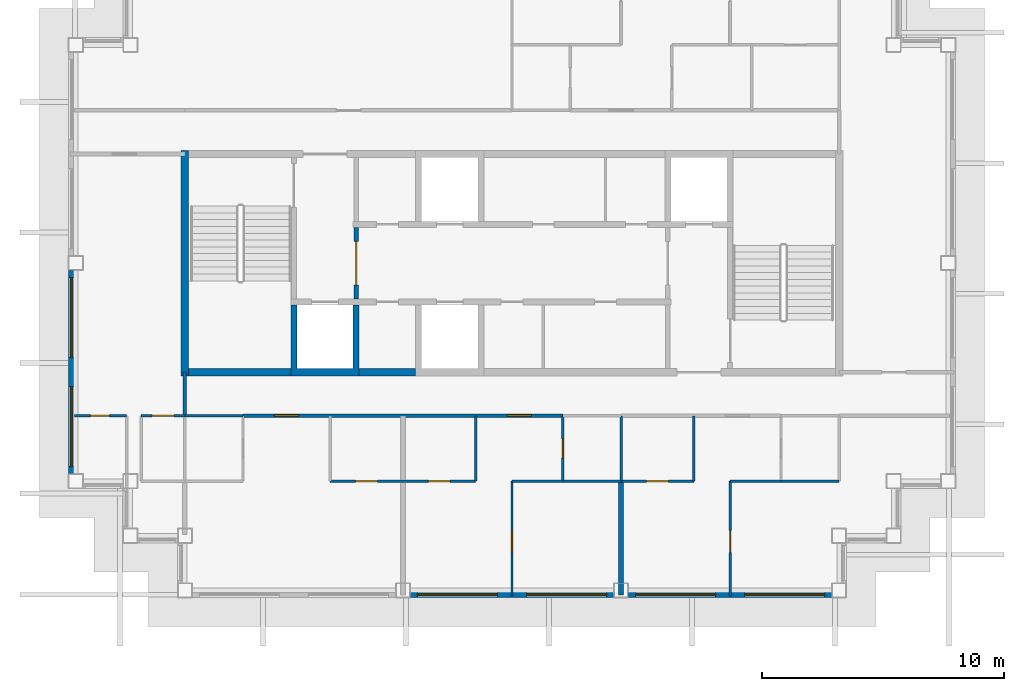
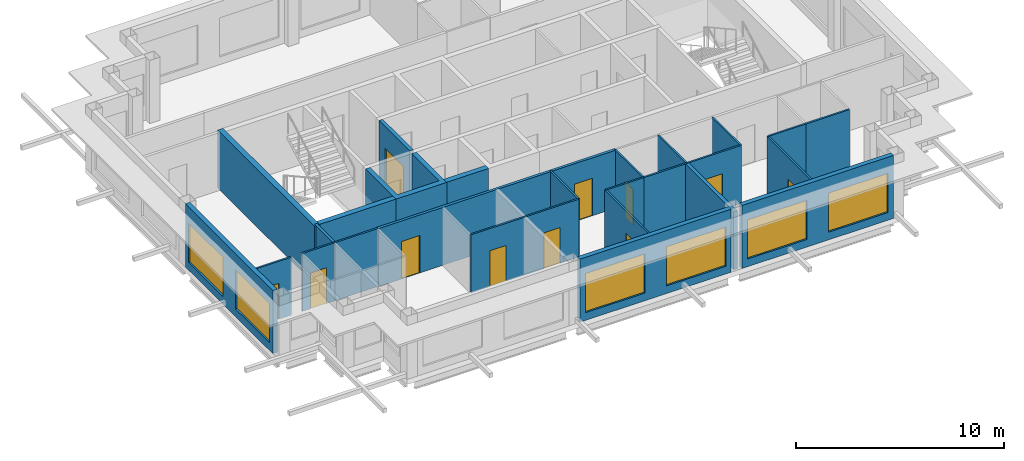
# One storey, part 2 of 10: 26 walls, 11 doors, 6 windows, 17 openings.
"""IFC4 building model written with IfcOpenShell, lengths in metres."""

import ifcopenshell
import ifcopenshell.guid

model = None  # the IFC model being written
_history = None  # IfcOwnerHistory: only IFC2X3 demands one
_inside = {}  # id of a spatial element -> (the spatial element, [elements in it])
_under = {}  # id of a project, library or spatial element -> (it, [spatial elements below it])
_declared = {}  # id of a project -> (the project, [libraries it declares])
_typed = {}  # id of a type object -> (the type object, [elements of that type])
_made_of = {}  # id of a material, layer set ... -> (it, [elements and type objects made of it])


def new_model(schema):
    """Start an empty IFC model of exactly this schema.

    Asked for "IFC4X3", IfcOpenShell would pick the latest addendum, in which some entities
    have other attributes; the version numbers below select the first issue.
    IFC2X3 requires an IfcOwnerHistory on every rooted entity: one is made here for all.
    """
    global model, _history
    if schema == "IFC4X3":
        model = ifcopenshell.file(schema_version=(4, 3, 0, 0))
    else:
        model = ifcopenshell.file(schema=schema)
    _inside.clear()
    _under.clear()
    _declared.clear()
    _typed.clear()
    _made_of.clear()
    _history = None
    if model.schema == "IFC2X3":
        org = make("IfcOrganization", Name="unknown")
        user = make(
            "IfcPersonAndOrganization",
            ThePerson=make("IfcPerson", FamilyName="unknown"),
            TheOrganization=org,
        )
        app = make(
            "IfcApplication",
            ApplicationDeveloper=org,
            Version="unknown",
            ApplicationFullName="unknown",
            ApplicationIdentifier="unknown",
        )
        _history = make(
            "IfcOwnerHistory",
            OwningUser=user,
            OwningApplication=app,
            ChangeAction="ADDED",
            CreationDate=0,
        )
    return model


def make(cls, **values):
    """One entity of the class cls with the attributes given. An attribute that is None is left unset."""
    return model.create_entity(
        cls, **{name: value for name, value in values.items() if value is not None}
    )


def rooted(cls, **values):
    """An entity with a GlobalId (a new one), such as an element, a storey or a relation."""
    return make(cls, GlobalId=ifcopenshell.guid.new(), OwnerHistory=_history, **values)


def si_unit(unit_type, name, prefix=None):
    """IfcSIUnit, for example si_unit("LENGTHUNIT", "METRE", prefix="MILLI")."""
    return make("IfcSIUnit", UnitType=unit_type, Prefix=prefix, Name=name)


def assignment(units):
    """IfcUnitAssignment: the units of a project."""
    return None if units is None else make("IfcUnitAssignment", Units=units)


def point(xyz):
    """IfcCartesianPoint."""
    return None if xyz is None else make("IfcCartesianPoint", Coordinates=xyz)


def direction(xyz):
    """IfcDirection."""
    return None if xyz is None else make("IfcDirection", DirectionRatios=xyz)


def frame(location, z_axis=None, x_axis=None):
    """IfcAxis2Placement3D, a coordinate frame: its origin and axes. An axis left out is left unset."""
    return make(
        "IfcAxis2Placement3D",
        Location=point(location),
        Axis=direction(z_axis),
        RefDirection=direction(x_axis),
    )


def frame_2d(location, x_axis=None):
    """IfcAxis2Placement2D, a coordinate frame in the plane: its origin and x axis."""
    return make(
        "IfcAxis2Placement2D", Location=point(location), RefDirection=direction(x_axis)
    )


def origin():
    """The frame at (0, 0, 0) with its axes left unset."""
    return frame((0.0, 0.0, 0.0))


def place(relative_to, where):
    """IfcLocalPlacement: puts the frame where relative to a parent placement (None: the world)."""
    return make(
        "IfcLocalPlacement", PlacementRelTo=relative_to, RelativePlacement=where
    )


def context(
    kind, dimensions, precision=None, world=None, true_north=None, identifier=None
):
    """IfcGeometricRepresentationContext, for example the 3D "Model" context."""
    return make(
        "IfcGeometricRepresentationContext",
        ContextIdentifier=identifier,
        ContextType=kind,
        CoordinateSpaceDimension=dimensions,
        Precision=precision,
        WorldCoordinateSystem=world,
        TrueNorth=true_north,
    )


def subcontext(parent, identifier, kind, view, scale=None):
    """IfcGeometricRepresentationSubContext, for example "Body" below "Model"."""
    return make(
        "IfcGeometricRepresentationSubContext",
        ContextIdentifier=identifier,
        ContextType=kind,
        ParentContext=parent,
        TargetScale=scale,
        TargetView=view,
    )


def project(units=None, contexts=None):
    """IfcProject with its units and contexts."""
    return rooted(
        "IfcProject",
        Name="project",
        RepresentationContexts=contexts,
        UnitsInContext=assignment(units),
    )


def spatial(cls, under=None, at=None, **own):
    """A site, building, storey or space (cls), placed at a placement, below another one or the project."""
    s = rooted(cls, ObjectPlacement=at, **own)
    if under is not None:
        _under.setdefault(under.id(), (under, []))[1].append(s)
    return s


def polyline(points):
    """IfcPolyline through the points."""
    return make("IfcPolyline", Points=[point(p) for p in points])


def profile(cls, at=None, kind="AREA", **sizes):
    """A parametric profile (cls). Its sizes go by their IFC names, for example OverallWidth=200.0."""
    return make(cls, ProfileType=kind, Position=at, **sizes)


def rectangle(**sizes):
    """IfcRectangleProfileDef."""
    return profile("IfcRectangleProfileDef", **sizes)


def outline(outer, holes=None, kind="AREA"):
    """IfcArbitraryClosedProfileDef: a profile drawn as a closed curve; with holes, ...WithVoids."""
    if holes is None:
        return make("IfcArbitraryClosedProfileDef", ProfileType=kind, OuterCurve=outer)
    return make(
        "IfcArbitraryProfileDefWithVoids",
        ProfileType=kind,
        OuterCurve=outer,
        InnerCurves=holes,
    )


def extrude(swept, where, along, depth):
    """IfcExtrudedAreaSolid: the profile swept, set in the frame where, extruded along a direction by depth."""
    return make(
        "IfcExtrudedAreaSolid",
        SweptArea=swept,
        Position=where,
        ExtrudedDirection=direction(along),
        Depth=depth,
    )


def shape(context_of_items, identifier, shape_type, items):
    """IfcShapeRepresentation: the items that make up one representation, for example the "Body"."""
    return make(
        "IfcShapeRepresentation",
        ContextOfItems=context_of_items,
        RepresentationIdentifier=identifier,
        RepresentationType=shape_type,
        Items=items,
    )


def material(Name=None, Category=None):
    """IfcMaterial."""
    return make("IfcMaterial", Name=Name, Category=Category)


def layer(
    of_material, thickness, ventilated=None, Name=None, Category=None, Priority=None
):
    """IfcMaterialLayer: one layer of a wall or slab, of a material (None: an air gap)."""
    return make(
        "IfcMaterialLayer",
        Material=of_material,
        LayerThickness=thickness,
        IsVentilated=ventilated,
        Name=Name,
        Category=Category,
        Priority=Priority,
    )


def layer_set(layers, Name=None):
    """IfcMaterialLayerSet."""
    return make("IfcMaterialLayerSet", MaterialLayers=layers, LayerSetName=Name)


def made_of(thing, what):
    """Note that an element or type object is made of a material, layer set ...; save() writes the relation."""
    if what is not None:
        _made_of.setdefault(what.id(), (what, []))[1].append(thing)
    return thing


def type_object(cls, material=None, **own):
    """A type object (cls), such as IfcWallType, which elements share."""
    return made_of(rooted(cls, **own), material)


def element(
    cls,
    number,
    at=None,
    inside=None,
    cuts=None,
    type_object=None,
    material=None,
    context=None,
    identifier="Body",
    shape_type=None,
    held_by="IfcProductDefinitionShape",
    body=None,
    shapes=None,
    **own,
):
    """One element of the class cls, such as IfcWall. Its Tag is "e" and its number.

    at: its placement. inside: the storey or other place that contains it. cuts: it is an
    opening in that element (IfcRelVoidsElement). A single representation is given by context,
    identifier, shape_type and body (its items); several are given by shapes. held_by: the class
    of the entity that holds the representations. save() writes the other relations.
    """
    e = rooted(cls, Tag="e%d" % number, ObjectPlacement=at, **own)
    if body is not None:
        shapes = [shape(context, identifier, shape_type, body)]
    if shapes is not None:
        e.Representation = make(held_by, Representations=shapes)
    if inside is not None:
        _inside.setdefault(inside.id(), (inside, []))[1].append(e)
    if cuts is not None:
        rooted(
            "IfcRelVoidsElement", RelatingBuildingElement=cuts, RelatedOpeningElement=e
        )
    if type_object is not None:
        _typed.setdefault(type_object.id(), (type_object, []))[1].append(e)
    return made_of(e, material)


def fill(opening, filler):
    """IfcRelFillsElement: the door or window that sits in an opening."""
    return rooted(
        "IfcRelFillsElement",
        RelatingOpeningElement=opening,
        RelatedBuildingElement=filler,
    )


def aggregate(whole, parts):
    """IfcRelAggregates: a whole, such as a stair, and the parts it consists of."""
    return rooted("IfcRelAggregates", RelatingObject=whole, RelatedObjects=parts)


def save(model, path):
    """Write the relations noted so far, then the file.

    IfcRelAggregates (storeys below a building ...), IfcRelContainedInSpatialStructure (elements
    in a storey), IfcRelDefinesByType, IfcRelAssociatesMaterial and IfcRelDeclares: one each for
    every whole, place, type object, material and project.
    """
    for whole, parts in _under.values():
        aggregate(whole, parts)
    for where, things in _inside.values():
        rooted(
            "IfcRelContainedInSpatialStructure",
            RelatedElements=things,
            RelatingStructure=where,
        )
    for kind, things in _typed.values():
        rooted("IfcRelDefinesByType", RelatedObjects=things, RelatingType=kind)
    for what, things in _made_of.values():
        rooted("IfcRelAssociatesMaterial", RelatedObjects=things, RelatingMaterial=what)
    for by, libraries in _declared.values():
        rooted("IfcRelDeclares", RelatingContext=by, RelatedDefinitions=libraries)
    model.write(path)


model = new_model("IFC4")

# Units and contexts
model_context = context("Model", 3, precision=1e-05, world=origin(), true_north=direction((0.0, 1.0)))
body_context = subcontext(model_context, "Body", "Model", "MODEL_VIEW")
ifc_project = project(units=[si_unit("LENGTHUNIT", "METRE"), si_unit("AREAUNIT", "SQUARE_METRE"), si_unit("VOLUMEUNIT", "CUBIC_METRE"), si_unit("PLANEANGLEUNIT", "RADIAN"), si_unit("MASSUNIT", "GRAM", prefix="KILO")], contexts=[model_context])

# Site, building, storey
site_placement = place(None, origin())
site = spatial("IfcSite", under=ifc_project, at=site_placement, CompositionType="ELEMENT")
building_placement = place(site_placement, origin())
building = spatial("IfcBuilding", under=site, at=building_placement, Name="Caravel Reach Hotel and Residences", CompositionType="ELEMENT")
storey_placement = place(building_placement, frame((0.0, 0.0, 290.800048828125)))
storey = spatial("IfcBuildingStorey", under=building, at=storey_placement, Name="L74", CompositionType="ELEMENT", Elevation=290.800048828125)

# Walls
ifc_material_1 = material(Name="Gypsum board on steel stud", Category="steel")
ifc_layer_1 = layer(ifc_material_1, 0.10009765625)
ifc_layer_set_1 = layer_set([ifc_layer_1], Name="Bathroom pod wall 100 mm")
wall_type_1 = type_object("IfcWallType", Name="Bathroom pod wall 100 mm", PredefinedType="PARTITIONING", material=ifc_layer_set_1)
for number, where, z_axis, x_axis, name in (
    (1, (33.60009765625, 18.0, 0.0), (0.0, 0.0, 1.0), (1.0, 0.0, 0.0), "L74 wall w046"),
    (2, (42.60009765625, 18.0, 0.0), (0.0, 0.0, 1.0), (1.0, 0.0, 0.0), "L74 wall w047"),
    (3, (18.0, 20.699951171875, 0.0), (0.0, 0.0, 1.0), (1.0, 0.0, 0.0), "L74 wall w048"),
):
    element("IfcWall", number, at=place(storey_placement, frame(where, z_axis=z_axis, x_axis=x_axis)), inside=storey, type_object=wall_type_1, Name=name, PredefinedType="PARTITIONING", context=body_context, shape_type="SweptSolid", body=[
        extrude(rectangle(XDim=2.39990234375, YDim=0.10009765625, at=frame_2d((1.199951171875, 0.0))), origin(), (0.0, 0.0, 1.0), 3.39990234375),
    ])

# Wall, opening, door
wall_1_placement = place(storey_placement, frame((13.449951171875, 20.699951171875, 0.0), z_axis=(0.0, 0.0, 1.0), x_axis=(1.0, 0.0, 0.0)))
wall_1 = element("IfcWall", 4, at=wall_1_placement, inside=storey, type_object=wall_type_1, Name="L74 wall w051", PredefinedType="PARTITIONING", context=body_context, shape_type="SweptSolid", body=[
    extrude(rectangle(XDim=2.150146484375, YDim=0.10009765625, at=frame_2d((1.0751953125, 0.0))), origin(), (0.0, 0.0, 1.0), 3.39990234375),
])
opening_1_placement = place(wall_1_placement, frame((0.64990234375, 0.0, 0.0)))
opening_1 = element("IfcOpeningElement", 5, at=opening_1_placement, cuts=wall_1, Name="Opening D74-036", PredefinedType="OPENING", context=body_context, shape_type="SweptSolid", body=[
    extrude(rectangle(XDim=0.800048828125, YDim=2.10009765625, at=frame_2d((0.39990234375, 1.050048828125))), frame((0.0, 0.06005859375, 0.0), z_axis=(0.0, -1.0, 0.0), x_axis=(1.0, 0.0, 0.0)), (0.0, 0.0, 1.0), 0.1201171875),
])
ifc_material_2 = material(Name="Timber and steel door leaf", Category="steel")
door_type_1 = type_object("IfcDoorType", Name="Bathroom door 800 x 2100", OperationType="SINGLE_SWING_LEFT", PredefinedType="DOOR", material=ifc_material_2)
door_1_placement = place(opening_1_placement, origin())
door_1 = element("IfcDoor", 6, at=door_1_placement, inside=storey, type_object=door_type_1, Name="door D74-036", OperationType="SINGLE_SWING_RIGHT", OverallHeight=2.10009765625, OverallWidth=0.800048828125, PredefinedType="DOOR", context=body_context, shape_type="SweptSolid", body=[
    extrude(rectangle(XDim=0.800048828125, YDim=2.10009765625, at=frame_2d((0.39990234375, 1.050048828125))), frame((0.0, 0.02490234375, 0.0), z_axis=(0.0, -1.0, 0.0), x_axis=(1.0, 0.0, 0.0)), (0.0, 0.0, 1.0), 0.050048828125),
])
fill(opening_1, door_1)

wall_2_placement = place(storey_placement, frame((33.60009765625, 18.0, 0.0), z_axis=(0.0, 0.0, 1.0), x_axis=(0.0, 1.0, 0.0)))
wall_2 = element("IfcWall", 7, at=wall_2_placement, inside=storey, type_object=wall_type_1, Name="L74 wall w058", PredefinedType="PARTITIONING", context=body_context, shape_type="SweptSolid", body=[
    extrude(rectangle(XDim=2.699951171875, YDim=0.10009765625, at=frame_2d((1.35009765625, 0.0))), origin(), (0.0, 0.0, 1.0), 3.39990234375),
])
opening_2_placement = place(wall_2_placement, frame((0.949951171875, 0.0, 0.0)))
opening_2 = element("IfcOpeningElement", 8, at=opening_2_placement, cuts=wall_2, Name="Opening D74-029", PredefinedType="OPENING", context=body_context, shape_type="SweptSolid", body=[
    extrude(rectangle(XDim=0.800048828125, YDim=2.10009765625, at=frame_2d((0.39990234375, 1.050048828125))), frame((0.0, 0.06005859375, 0.0), z_axis=(0.0, -1.0, 0.0), x_axis=(1.0, 0.0, 0.0)), (0.0, 0.0, 1.0), 0.1201171875),
])
door_2_placement = place(opening_2_placement, origin())
door_2 = element("IfcDoor", 9, at=door_2_placement, inside=storey, type_object=door_type_1, Name="door D74-029", OperationType="SINGLE_SWING_LEFT", OverallHeight=2.10009765625, OverallWidth=0.800048828125, PredefinedType="DOOR", context=body_context, shape_type="SweptSolid", body=[
    extrude(rectangle(XDim=0.800048828125, YDim=2.10009765625, at=frame_2d((0.39990234375, 1.050048828125))), frame((0.0, 0.02490234375, 0.0), z_axis=(0.0, -1.0, 0.0), x_axis=(1.0, 0.0, 0.0)), (0.0, 0.0, 1.0), 0.050048828125),
])
fill(opening_2, door_2)

# Walls
wall_3_placement = place(storey_placement, frame((36.0, 18.0, 0.0), z_axis=(0.0, 0.0, 1.0), x_axis=(0.0, 1.0, 0.0)))
element("IfcWall", 10, at=wall_3_placement, inside=storey, type_object=wall_type_1, Name="L74 wall w060", PredefinedType="PARTITIONING", context=body_context, shape_type="SweptSolid", body=[
    extrude(rectangle(XDim=2.699951171875, YDim=0.10009765625, at=frame_2d((1.35009765625, 0.0))), origin(), (0.0, 0.0, 1.0), 3.39990234375),
])
ifc_material_3 = material(Name="Concrete C60", Category="concrete")
ifc_layer_2 = layer(ifc_material_3, 0.300048828125)
ifc_layer_set_2 = layer_set([ifc_layer_2], Name="Core wall 300 mm EI 120")
wall_type_2 = type_object("IfcWallType", Name="Core wall 300 mm EI 120", PredefinedType="SHEAR", material=ifc_layer_set_2)
wall_4_placement = place(storey_placement, frame((18.14990234375, 22.5, 0.0), z_axis=(0.0, 0.0, 1.0), x_axis=(1.0, 0.0, 0.0)))
element("IfcWall", 11, at=wall_4_placement, inside=storey, type_object=wall_type_2, Name="L74 core wall S1", PredefinedType="SHEAR", context=body_context, shape_type="SweptSolid", body=[
    extrude(rectangle(XDim=4.22509765625, YDim=0.300048828125, at=frame_2d((2.112548828125, 0.0))), origin(), (0.0, 0.0, 1.0), 3.39990234375),
])
wall_5_placement = place(storey_placement, frame((25.196533203125, 22.5, 0.0), z_axis=(0.0, 0.0, 1.0), x_axis=(1.0, 0.0, 0.0)))
element("IfcWall", 12, at=wall_5_placement, inside=storey, type_object=wall_type_2, Name="L74 core wall S2", PredefinedType="SHEAR", context=body_context, shape_type="SweptSolid", body=[
    extrude(rectangle(XDim=2.3212890625, YDim=0.300048828125, at=frame_2d((1.16064453125, 0.0))), origin(), (0.0, 0.0, 1.0), 3.39990234375),
])
wall_6_placement = place(storey_placement, frame((18.0, 22.35009765625, 0.0), z_axis=(0.0, 0.0, 1.0), x_axis=(0.0, 1.0, 0.0)))
element("IfcWall", 13, at=wall_6_placement, inside=storey, type_object=wall_type_2, Name="L74 core wall W", PredefinedType="SHEAR", context=body_context, shape_type="SweptSolid", body=[
    extrude(rectangle(XDim=9.2998046875, YDim=0.300048828125, at=frame_2d((4.64990234375, 0.0))), origin(), (0.0, 0.0, 1.0), 3.39990234375),
])

# Wall, openings, doors
ifc_material_4 = material(Name="Gypsum board on steel stud, fire-rated", Category="steel")
ifc_layer_3 = layer(ifc_material_4, 0.14990234375)
ifc_layer_set_3 = layer_set([ifc_layer_3], Name="Corridor wall 150 mm EI 60")
wall_type_3 = type_object("IfcWallType", Name="Corridor wall 150 mm EI 60", PredefinedType="PARTITIONING", material=ifc_layer_set_3)
wall_7_placement = place(storey_placement, frame((20.39990234375, 20.699951171875, 0.0), z_axis=(0.0, 0.0, 1.0), x_axis=(1.0, 0.0, 0.0)))
wall_7 = element("IfcWall", 14, at=wall_7_placement, inside=storey, type_object=wall_type_3, Name="L74 wall w001", PredefinedType="PARTITIONING", context=body_context, shape_type="SweptSolid", body=[
    extrude(rectangle(XDim=13.2001953125, YDim=0.14990234375, at=frame_2d((6.60009765625, 0.0))), origin(), (0.0, 0.0, 1.0), 3.39990234375),
])
opening_3_placement = place(wall_7_placement, frame((1.300048828125, 0.0, 0.0)))
opening_3 = element("IfcOpeningElement", 15, at=opening_3_placement, cuts=wall_7, Name="Opening D74-024", PredefinedType="OPENING", context=body_context, shape_type="SweptSolid", body=[
    extrude(rectangle(XDim=1.0, YDim=2.199951171875, at=frame_2d((0.5, 1.10009765625))), frame((0.0, 0.0849609375, 0.0), z_axis=(0.0, -1.0, 0.0), x_axis=(1.0, 0.0, 0.0)), (0.0, 0.0, 1.0), 0.169921875),
])
opening_4_placement = place(wall_7_placement, frame((10.900146484375, 0.0, 0.0)))
opening_4 = element("IfcOpeningElement", 16, at=opening_4_placement, cuts=wall_7, Name="Opening D74-027", PredefinedType="OPENING", context=body_context, shape_type="SweptSolid", body=[
    extrude(rectangle(XDim=1.0, YDim=2.199951171875, at=frame_2d((0.5, 1.10009765625))), frame((0.0, 0.0849609375, 0.0), z_axis=(0.0, -1.0, 0.0), x_axis=(1.0, 0.0, 0.0)), (0.0, 0.0, 1.0), 0.169921875),
])
ifc_material_5 = material(Name="Steel fire door leaf", Category="steel")
door_type_2 = type_object("IfcDoorType", Name="Flat entrance door 1000 x 2200 EI 60", OperationType="SINGLE_SWING_LEFT", PredefinedType="DOOR", material=ifc_material_5)
door_3_placement = place(opening_3_placement, origin())
door_3 = element("IfcDoor", 17, at=door_3_placement, inside=storey, type_object=door_type_2, Name="door D74-024", OperationType="SINGLE_SWING_RIGHT", OverallHeight=2.199951171875, OverallWidth=1.0, PredefinedType="DOOR", context=body_context, shape_type="SweptSolid", body=[
    extrude(rectangle(XDim=1.0, YDim=2.199951171875, at=frame_2d((0.5, 1.10009765625))), frame((0.0, 0.02490234375, 0.0), z_axis=(0.0, -1.0, 0.0), x_axis=(1.0, 0.0, 0.0)), (0.0, 0.0, 1.0), 0.050048828125),
])
fill(opening_3, door_3)
door_4_placement = place(opening_4_placement, origin())
door_4 = element("IfcDoor", 18, at=door_4_placement, inside=storey, type_object=door_type_2, Name="door D74-027", OperationType="SINGLE_SWING_LEFT", OverallHeight=2.199951171875, OverallWidth=1.0, PredefinedType="DOOR", context=body_context, shape_type="SweptSolid", body=[
    extrude(rectangle(XDim=1.0, YDim=2.199951171875, at=frame_2d((0.5, 1.10009765625))), frame((0.0, 0.02490234375, 0.0), z_axis=(0.0, -1.0, 0.0), x_axis=(1.0, 0.0, 0.0)), (0.0, 0.0, 1.0), 0.050048828125),
])
fill(opening_4, door_4)

# Wall
wall_8_placement = place(storey_placement, frame((18.0, 20.699951171875, 0.0), z_axis=(0.0, 0.0, 1.0), x_axis=(0.0, 1.0, 0.0)))
element("IfcWall", 19, at=wall_8_placement, inside=storey, type_object=wall_type_3, Name="L74 wall w015", PredefinedType="PARTITIONING", context=body_context, shape_type="SweptSolid", body=[
    extrude(rectangle(XDim=1.800048828125, YDim=0.14990234375, at=frame_2d((0.89990234375, 0.0))), origin(), (0.0, 0.0, 1.0), 3.39990234375),
])

# Wall, openings, windows
ifc_material_6 = material(Name="Insulated rainscreen wall, aluminium cladding", Category="aluminium")
ifc_layer_4 = layer(ifc_material_6, 0.25)
ifc_layer_set_4 = layer_set([ifc_layer_4], Name="EW1 Tower rainscreen wall")
wall_type_4 = type_object("IfcWallType", Name="EW1 Tower rainscreen wall", PredefinedType="SOLIDWALL", material=ifc_layer_set_4)
wall_9_placement = place(storey_placement, frame((13.324951171875, 26.699951171875, 0.0), z_axis=(0.0, 0.0, 1.0), x_axis=(0.0, -1.0, 0.0)))
wall_9 = element("IfcWall", 20, at=wall_9_placement, inside=storey, type_object=wall_type_4, Name="External wall L74 W15.2", PredefinedType="SOLIDWALL", context=body_context, shape_type="SweptSolid", body=[
    extrude(rectangle(XDim=8.39990234375, YDim=0.25, at=frame_2d((4.199951171875, 0.0))), origin(), (0.0, 0.0, 1.0), 3.699951171875),
])
opening_5_placement = place(wall_9_placement, frame((0.300048828125, 0.0, 0.449951171875)))
opening_5 = element("IfcOpeningElement", 21, at=opening_5_placement, cuts=wall_9, Name="Opening WN15", PredefinedType="OPENING", context=body_context, shape_type="SweptSolid", body=[
    extrude(rectangle(XDim=3.300048828125, YDim=2.300048828125, at=frame_2d((1.64990234375, 1.14990234375))), frame((0.0, 0.135009765625, 0.0), z_axis=(0.0, -1.0, 0.0), x_axis=(1.0, 0.0, 0.0)), (0.0, 0.0, 1.0), 0.27001953125),
])
opening_6_placement = place(wall_9_placement, frame((4.800048828125, 0.0, 0.449951171875)))
opening_6 = element("IfcOpeningElement", 22, at=opening_6_placement, cuts=wall_9, Name="Opening WN15", PredefinedType="OPENING", context=body_context, shape_type="SweptSolid", body=[
    extrude(rectangle(XDim=3.300048828125, YDim=2.300048828125, at=frame_2d((1.64990234375, 1.14990234375))), frame((0.0, 0.135009765625, 0.0), z_axis=(0.0, -1.0, 0.0), x_axis=(1.0, 0.0, 0.0)), (0.0, 0.0, 1.0), 0.27001953125),
])
ifc_material_7 = material(Name="Dark low-e glazing in black aluminium frame", Category="aluminium")
window_type = type_object("IfcWindowType", Name="Residence living window 3300 x 2300", PartitioningType="SINGLE_PANEL", PredefinedType="WINDOW", material=ifc_material_7)
window_1_placement = place(opening_5_placement, origin())
window_1 = element("IfcWindow", 23, at=window_1_placement, inside=storey, type_object=window_type, Name="Window L74 W15.2.1", OverallHeight=2.300048828125, OverallWidth=3.300048828125, PartitioningType="SINGLE_PANEL", PredefinedType="WINDOW", context=body_context, shape_type="SweptSolid", body=[
    extrude(rectangle(XDim=3.300048828125, YDim=2.300048828125, at=frame_2d((1.64990234375, 1.14990234375))), frame((0.0, 0.030029296875, 0.0), z_axis=(0.0, -1.0, 0.0), x_axis=(1.0, 0.0, 0.0)), (0.0, 0.0, 1.0), 0.06005859375),
])
fill(opening_5, window_1)
window_2_placement = place(opening_6_placement, origin())
window_2 = element("IfcWindow", 24, at=window_2_placement, inside=storey, type_object=window_type, Name="Window L74 W15.2.2", OverallHeight=2.300048828125, OverallWidth=3.300048828125, PartitioningType="SINGLE_PANEL", PredefinedType="WINDOW", context=body_context, shape_type="SweptSolid", body=[
    extrude(rectangle(XDim=3.300048828125, YDim=2.300048828125, at=frame_2d((1.64990234375, 1.14990234375))), frame((0.0, 0.030029296875, 0.0), z_axis=(0.0, -1.0, 0.0), x_axis=(1.0, 0.0, 0.0)), (0.0, 0.0, 1.0), 0.06005859375),
])
fill(opening_6, window_2)

wall_10_placement = place(storey_placement, frame((27.300048828125, 13.324951171875, 0.0), z_axis=(0.0, 0.0, 1.0), x_axis=(1.0, 0.0, 0.0)))
wall_10 = element("IfcWall", 25, at=wall_10_placement, inside=storey, type_object=wall_type_4, Name="External wall L74 S20.2", PredefinedType="SOLIDWALL", context=body_context, shape_type="SweptSolid", body=[
    extrude(rectangle(XDim=8.39990234375, YDim=0.25, at=frame_2d((4.199951171875, 0.0))), origin(), (0.0, 0.0, 1.0), 3.699951171875),
])
opening_7_placement = place(wall_10_placement, frame((0.300048828125, 0.0, 0.449951171875)))
opening_7 = element("IfcOpeningElement", 26, at=opening_7_placement, cuts=wall_10, Name="Opening WN15", PredefinedType="OPENING", context=body_context, shape_type="SweptSolid", body=[
    extrude(rectangle(XDim=3.300048828125, YDim=2.300048828125, at=frame_2d((1.64990234375, 1.14990234375))), frame((0.0, 0.135009765625, 0.0), z_axis=(0.0, -1.0, 0.0), x_axis=(1.0, 0.0, 0.0)), (0.0, 0.0, 1.0), 0.27001953125),
])
opening_8_placement = place(wall_10_placement, frame((4.800048828125, 0.0, 0.449951171875)))
opening_8 = element("IfcOpeningElement", 27, at=opening_8_placement, cuts=wall_10, Name="Opening WN15", PredefinedType="OPENING", context=body_context, shape_type="SweptSolid", body=[
    extrude(rectangle(XDim=3.300048828125, YDim=2.300048828125, at=frame_2d((1.64990234375, 1.14990234375))), frame((0.0, 0.135009765625, 0.0), z_axis=(0.0, -1.0, 0.0), x_axis=(1.0, 0.0, 0.0)), (0.0, 0.0, 1.0), 0.27001953125),
])
window_3_placement = place(opening_7_placement, origin())
window_3 = element("IfcWindow", 28, at=window_3_placement, inside=storey, type_object=window_type, Name="Window L74 S20.2.1", OverallHeight=2.300048828125, OverallWidth=3.300048828125, PartitioningType="SINGLE_PANEL", PredefinedType="WINDOW", context=body_context, shape_type="SweptSolid", body=[
    extrude(rectangle(XDim=3.300048828125, YDim=2.300048828125, at=frame_2d((1.64990234375, 1.14990234375))), frame((0.0, 0.030029296875, 0.0), z_axis=(0.0, -1.0, 0.0), x_axis=(1.0, 0.0, 0.0)), (0.0, 0.0, 1.0), 0.06005859375),
])
fill(opening_7, window_3)
window_4_placement = place(opening_8_placement, origin())
window_4 = element("IfcWindow", 29, at=window_4_placement, inside=storey, type_object=window_type, Name="Window L74 S20.2.2", OverallHeight=2.300048828125, OverallWidth=3.300048828125, PartitioningType="SINGLE_PANEL", PredefinedType="WINDOW", context=body_context, shape_type="SweptSolid", body=[
    extrude(rectangle(XDim=3.300048828125, YDim=2.300048828125, at=frame_2d((1.64990234375, 1.14990234375))), frame((0.0, 0.030029296875, 0.0), z_axis=(0.0, -1.0, 0.0), x_axis=(1.0, 0.0, 0.0)), (0.0, 0.0, 1.0), 0.06005859375),
])
fill(opening_8, window_4)

wall_11_placement = place(storey_placement, frame((36.300048828125, 13.324951171875, 0.0), z_axis=(0.0, 0.0, 1.0), x_axis=(1.0, 0.0, 0.0)))
wall_11 = element("IfcWall", 30, at=wall_11_placement, inside=storey, type_object=wall_type_4, Name="External wall L74 S20.3", PredefinedType="SOLIDWALL", context=body_context, shape_type="SweptSolid", body=[
    extrude(rectangle(XDim=8.39990234375, YDim=0.25, at=frame_2d((4.199951171875, 0.0))), origin(), (0.0, 0.0, 1.0), 3.699951171875),
])
opening_9_placement = place(wall_11_placement, frame((0.300048828125, 0.0, 0.449951171875)))
opening_9 = element("IfcOpeningElement", 31, at=opening_9_placement, cuts=wall_11, Name="Opening WN15", PredefinedType="OPENING", context=body_context, shape_type="SweptSolid", body=[
    extrude(rectangle(XDim=3.300048828125, YDim=2.300048828125, at=frame_2d((1.64990234375, 1.14990234375))), frame((0.0, 0.135009765625, 0.0), z_axis=(0.0, -1.0, 0.0), x_axis=(1.0, 0.0, 0.0)), (0.0, 0.0, 1.0), 0.27001953125),
])
opening_10_placement = place(wall_11_placement, frame((4.800048828125, 0.0, 0.449951171875)))
opening_10 = element("IfcOpeningElement", 32, at=opening_10_placement, cuts=wall_11, Name="Opening WN15", PredefinedType="OPENING", context=body_context, shape_type="SweptSolid", body=[
    extrude(rectangle(XDim=3.300048828125, YDim=2.300048828125, at=frame_2d((1.64990234375, 1.14990234375))), frame((0.0, 0.135009765625, 0.0), z_axis=(0.0, -1.0, 0.0), x_axis=(1.0, 0.0, 0.0)), (0.0, 0.0, 1.0), 0.27001953125),
])
window_5_placement = place(opening_9_placement, origin())
window_5 = element("IfcWindow", 33, at=window_5_placement, inside=storey, type_object=window_type, Name="Window L74 S20.3.1", OverallHeight=2.300048828125, OverallWidth=3.300048828125, PartitioningType="SINGLE_PANEL", PredefinedType="WINDOW", context=body_context, shape_type="SweptSolid", body=[
    extrude(rectangle(XDim=3.300048828125, YDim=2.300048828125, at=frame_2d((1.64990234375, 1.14990234375))), frame((0.0, 0.030029296875, 0.0), z_axis=(0.0, -1.0, 0.0), x_axis=(1.0, 0.0, 0.0)), (0.0, 0.0, 1.0), 0.06005859375),
])
fill(opening_9, window_5)
window_6_placement = place(opening_10_placement, origin())
window_6 = element("IfcWindow", 34, at=window_6_placement, inside=storey, type_object=window_type, Name="Window L74 S20.3.2", OverallHeight=2.300048828125, OverallWidth=3.300048828125, PartitioningType="SINGLE_PANEL", PredefinedType="WINDOW", context=body_context, shape_type="SweptSolid", body=[
    extrude(rectangle(XDim=3.300048828125, YDim=2.300048828125, at=frame_2d((1.64990234375, 1.14990234375))), frame((0.0, 0.030029296875, 0.0), z_axis=(0.0, -1.0, 0.0), x_axis=(1.0, 0.0, 0.0)), (0.0, 0.0, 1.0), 0.06005859375),
])
fill(opening_10, window_6)

# Wall, opening, door
ifc_material_8 = material(Name="Autoclaved aerated block wall")
ifc_layer_5 = layer(ifc_material_8, 0.199951171875)
ifc_layer_set_5 = layer_set([ifc_layer_5], Name="Fire lobby wall 200 mm EI 120")
wall_type_5 = type_object("IfcWallType", Name="Fire lobby wall 200 mm EI 120", PredefinedType="PARTITIONING", material=ifc_layer_set_5)
wall_12_placement = place(storey_placement, frame((25.071533203125, 25.52490234375, 0.0), z_axis=(0.0, 0.0, 1.0), x_axis=(0.0, 1.0, 0.0)))
wall_12 = element("IfcWall", 35, at=wall_12_placement, inside=storey, type_object=wall_type_5, Name="L74 lobby W wall", PredefinedType="PARTITIONING", context=body_context, shape_type="SweptSolid", body=[
    extrude(rectangle(XDim=2.9501953125, YDim=0.199951171875, at=frame_2d((1.47509765625, 0.0))), origin(), (0.0, 0.0, 1.0), 3.39990234375),
])
opening_11_placement = place(wall_12_placement, frame((0.574951171875, 0.0, 0.0)))
opening_11 = element("IfcOpeningElement", 36, at=opening_11_placement, cuts=wall_12, Name="Opening D74-013", PredefinedType="OPENING", context=body_context, shape_type="SweptSolid", body=[
    extrude(rectangle(XDim=1.800048828125, YDim=2.10009765625, at=frame_2d((0.89990234375, 1.050048828125))), frame((0.0, 0.10986328125, 0.0), z_axis=(0.0, -1.0, 0.0), x_axis=(1.0, 0.0, 0.0)), (0.0, 0.0, 1.0), 0.219970703125),
])
ifc_material_9 = material(Name="Steel fire door leaf", Category="steel")
door_type_3 = type_object("IfcDoorType", Name="Fire lobby door pair 1800 x 2100 EI 90", OperationType="DOUBLE_DOOR_SINGLE_SWING", PredefinedType="DOOR", material=ifc_material_9)
door_5_placement = place(opening_11_placement, origin())
door_5 = element("IfcDoor", 37, at=door_5_placement, inside=storey, type_object=door_type_3, Name="lobby W door pair", OperationType="DOUBLE_DOOR_SINGLE_SWING", OverallHeight=2.10009765625, OverallWidth=1.800048828125, PredefinedType="DOOR", context=body_context, shape_type="SweptSolid", body=[
    extrude(rectangle(XDim=1.800048828125, YDim=2.10009765625, at=frame_2d((0.89990234375, 1.050048828125))), frame((0.0, 0.02490234375, 0.0), z_axis=(0.0, -1.0, 0.0), x_axis=(1.0, 0.0, 0.0)), (0.0, 0.0, 1.0), 0.050048828125),
])
fill(opening_11, door_5)

# Wall, openings, doors
ifc_material_10 = material(Name="Gypsum board on steel stud", Category="steel")
ifc_layer_6 = layer(ifc_material_10, 0.10009765625)
ifc_layer_set_6 = layer_set([ifc_layer_6], Name="Partition 100 mm")
wall_type_6 = type_object("IfcWallType", Name="Partition 100 mm", PredefinedType="PARTITIONING", material=ifc_layer_set_6)
wall_13_placement = place(storey_placement, frame((24.0, 18.0, 0.0), z_axis=(0.0, 0.0, 1.0), x_axis=(1.0, 0.0, 0.0)))
wall_13 = element("IfcWall", 38, at=wall_13_placement, inside=storey, type_object=wall_type_6, Name="L74 wall w017", PredefinedType="PARTITIONING", context=body_context, shape_type="SweptSolid", body=[
    extrude(rectangle(XDim=6.0, YDim=0.10009765625, at=frame_2d((3.0, 0.0))), origin(), (0.0, 0.0, 1.0), 3.39990234375),
])
opening_12_placement = place(wall_13_placement, frame((1.050048828125, 0.0, 0.0)))
opening_12 = element("IfcOpeningElement", 39, at=opening_12_placement, cuts=wall_13, Name="Opening D74-026", PredefinedType="OPENING", context=body_context, shape_type="SweptSolid", body=[
    extrude(rectangle(XDim=0.89990234375, YDim=2.10009765625, at=frame_2d((0.449951171875, 1.050048828125))), frame((0.0, 0.06005859375, 0.0), z_axis=(0.0, -1.0, 0.0), x_axis=(1.0, 0.0, 0.0)), (0.0, 0.0, 1.0), 0.1201171875),
])
opening_13_placement = place(wall_13_placement, frame((4.050048828125, 0.0, 0.0)))
opening_13 = element("IfcOpeningElement", 40, at=opening_13_placement, cuts=wall_13, Name="Opening D74-028", PredefinedType="OPENING", context=body_context, shape_type="SweptSolid", body=[
    extrude(rectangle(XDim=0.89990234375, YDim=2.10009765625, at=frame_2d((0.449951171875, 1.050048828125))), frame((0.0, 0.06005859375, 0.0), z_axis=(0.0, -1.0, 0.0), x_axis=(1.0, 0.0, 0.0)), (0.0, 0.0, 1.0), 0.1201171875),
])
ifc_material_11 = material(Name="Timber and steel door leaf", Category="steel")
door_type_4 = type_object("IfcDoorType", Name="Door 900 x 2100 timber", OperationType="SINGLE_SWING_LEFT", PredefinedType="DOOR", material=ifc_material_11)
door_6_placement = place(opening_12_placement, origin())
door_6 = element("IfcDoor", 41, at=door_6_placement, inside=storey, type_object=door_type_4, Name="door D74-026", OperationType="SINGLE_SWING_RIGHT", OverallHeight=2.10009765625, OverallWidth=0.89990234375, PredefinedType="DOOR", context=body_context, shape_type="SweptSolid", body=[
    extrude(rectangle(XDim=0.89990234375, YDim=2.10009765625, at=frame_2d((0.449951171875, 1.050048828125))), frame((0.0, 0.02490234375, 0.0), z_axis=(0.0, -1.0, 0.0), x_axis=(1.0, 0.0, 0.0)), (0.0, 0.0, 1.0), 0.050048828125),
])
fill(opening_12, door_6)
door_7_placement = place(opening_13_placement, origin())
door_7 = element("IfcDoor", 42, at=door_7_placement, inside=storey, type_object=door_type_4, Name="door D74-028", OperationType="SINGLE_SWING_LEFT", OverallHeight=2.10009765625, OverallWidth=0.89990234375, PredefinedType="DOOR", context=body_context, shape_type="SweptSolid", body=[
    extrude(rectangle(XDim=0.89990234375, YDim=2.10009765625, at=frame_2d((0.449951171875, 1.050048828125))), frame((0.0, 0.02490234375, 0.0), z_axis=(0.0, -1.0, 0.0), x_axis=(1.0, 0.0, 0.0)), (0.0, 0.0, 1.0), 0.050048828125),
])
fill(opening_13, door_7)

# Walls
for number, where, z_axis, x_axis, name in (
    (43, (31.5, 18.0, 0.0), (0.0, 0.0, 1.0), (1.0, 0.0, 0.0), "L74 wall w018"),
    (44, (40.5, 18.0, 0.0), (0.0, 0.0, 1.0), (1.0, 0.0, 0.0), "L74 wall w020"),
):
    element("IfcWall", number, at=place(storey_placement, frame(where, z_axis=z_axis, x_axis=x_axis)), inside=storey, type_object=wall_type_6, Name=name, PredefinedType="PARTITIONING", context=body_context, shape_type="SweptSolid", body=[
        extrude(rectangle(XDim=2.10009765625, YDim=0.10009765625, at=frame_2d((1.050048828125, 0.0))), origin(), (0.0, 0.0, 1.0), 3.39990234375),
    ])

# Wall, opening, door
wall_14_placement = place(storey_placement, frame((36.0, 18.0, 0.0), z_axis=(0.0, 0.0, 1.0), x_axis=(1.0, 0.0, 0.0)))
wall_14 = element("IfcWall", 45, at=wall_14_placement, inside=storey, type_object=wall_type_6, Name="L74 wall w021", PredefinedType="PARTITIONING", context=body_context, shape_type="SweptSolid", body=[
    extrude(rectangle(XDim=3.0, YDim=0.10009765625, at=frame_2d((1.5, 0.0))), origin(), (0.0, 0.0, 1.0), 3.39990234375),
])
opening_14_placement = place(wall_14_placement, frame((1.050048828125, 0.0, 0.0)))
opening_14 = element("IfcOpeningElement", 46, at=opening_14_placement, cuts=wall_14, Name="Opening D74-032", PredefinedType="OPENING", context=body_context, shape_type="SweptSolid", body=[
    extrude(rectangle(XDim=0.89990234375, YDim=2.10009765625, at=frame_2d((0.449951171875, 1.050048828125))), frame((0.0, 0.06005859375, 0.0), z_axis=(0.0, -1.0, 0.0), x_axis=(1.0, 0.0, 0.0)), (0.0, 0.0, 1.0), 0.1201171875),
])
door_8_placement = place(opening_14_placement, origin())
door_8 = element("IfcDoor", 47, at=door_8_placement, inside=storey, type_object=door_type_4, Name="door D74-032", OperationType="SINGLE_SWING_RIGHT", OverallHeight=2.10009765625, OverallWidth=0.89990234375, PredefinedType="DOOR", context=body_context, shape_type="SweptSolid", body=[
    extrude(rectangle(XDim=0.89990234375, YDim=2.10009765625, at=frame_2d((0.449951171875, 1.050048828125))), frame((0.0, 0.02490234375, 0.0), z_axis=(0.0, -1.0, 0.0), x_axis=(1.0, 0.0, 0.0)), (0.0, 0.0, 1.0), 0.050048828125),
])
fill(opening_14, door_8)

wall_15_placement = place(storey_placement, frame((16.199951171875, 20.699951171875, 0.0), z_axis=(0.0, 0.0, 1.0), x_axis=(1.0, 0.0, 0.0)))
wall_15 = element("IfcWall", 48, at=wall_15_placement, inside=storey, type_object=wall_type_6, Name="L74 wall w023", PredefinedType="PARTITIONING", context=body_context, shape_type="SweptSolid", body=[
    extrude(rectangle(XDim=1.800048828125, YDim=0.10009765625, at=frame_2d((0.89990234375, 0.0))), origin(), (0.0, 0.0, 1.0), 3.39990234375),
])
opening_15_placement = place(wall_15_placement, frame((0.449951171875, 0.0, 0.0)))
opening_15 = element("IfcOpeningElement", 49, at=opening_15_placement, cuts=wall_15, Name="Opening D74-037", PredefinedType="OPENING", context=body_context, shape_type="SweptSolid", body=[
    extrude(rectangle(XDim=0.89990234375, YDim=2.10009765625, at=frame_2d((0.449951171875, 1.050048828125))), frame((0.0, 0.06005859375, 0.0), z_axis=(0.0, -1.0, 0.0), x_axis=(1.0, 0.0, 0.0)), (0.0, 0.0, 1.0), 0.1201171875),
])
door_9_placement = place(opening_15_placement, origin())
door_9 = element("IfcDoor", 50, at=door_9_placement, inside=storey, type_object=door_type_4, Name="door D74-037", OperationType="SINGLE_SWING_RIGHT", OverallHeight=2.10009765625, OverallWidth=0.89990234375, PredefinedType="DOOR", context=body_context, shape_type="SweptSolid", body=[
    extrude(rectangle(XDim=0.89990234375, YDim=2.10009765625, at=frame_2d((0.449951171875, 1.050048828125))), frame((0.0, 0.02490234375, 0.0), z_axis=(0.0, -1.0, 0.0), x_axis=(1.0, 0.0, 0.0)), (0.0, 0.0, 1.0), 0.050048828125),
])
fill(opening_15, door_9)

# Wall
wall_16_placement = place(storey_placement, frame((30.0, 18.0, 0.0), z_axis=(0.0, 0.0, 1.0), x_axis=(0.0, 1.0, 0.0)))
element("IfcWall", 51, at=wall_16_placement, inside=storey, type_object=wall_type_6, Name="L74 wall w030", PredefinedType="PARTITIONING", context=body_context, shape_type="SweptSolid", body=[
    extrude(rectangle(XDim=2.699951171875, YDim=0.10009765625, at=frame_2d((1.35009765625, 0.0))), origin(), (0.0, 0.0, 1.0), 3.39990234375),
])

# Wall, opening, door
wall_17_placement = place(storey_placement, frame((31.5, 13.260009765625, 0.0), z_axis=(0.0, 0.0, 1.0), x_axis=(0.0, 1.0, 0.0)))
wall_17 = element("IfcWall", 52, at=wall_17_placement, inside=storey, type_object=wall_type_6, Name="L74 wall w032", PredefinedType="PARTITIONING", context=body_context, shape_type="SweptSolid", body=[
    extrude(rectangle(XDim=4.739990234375, YDim=0.10009765625, at=frame_2d((2.3701171875, 0.0))), origin(), (0.0, 0.0, 1.0), 3.39990234375),
])
opening_16_placement = place(wall_17_placement, frame((1.800048828125, 0.0, 0.0)))
opening_16 = element("IfcOpeningElement", 53, at=opening_16_placement, cuts=wall_17, Name="Opening D74-030", PredefinedType="OPENING", context=body_context, shape_type="SweptSolid", body=[
    extrude(rectangle(XDim=0.89990234375, YDim=2.10009765625, at=frame_2d((0.449951171875, 1.050048828125))), frame((0.0, 0.06005859375, 0.0), z_axis=(0.0, -1.0, 0.0), x_axis=(1.0, 0.0, 0.0)), (0.0, 0.0, 1.0), 0.1201171875),
])
door_10_placement = place(opening_16_placement, origin())
door_10 = element("IfcDoor", 54, at=door_10_placement, inside=storey, type_object=door_type_4, Name="door D74-030", OperationType="SINGLE_SWING_RIGHT", OverallHeight=2.10009765625, OverallWidth=0.89990234375, PredefinedType="DOOR", context=body_context, shape_type="SweptSolid", body=[
    extrude(rectangle(XDim=0.89990234375, YDim=2.10009765625, at=frame_2d((0.449951171875, 1.050048828125))), frame((0.0, 0.02490234375, 0.0), z_axis=(0.0, -1.0, 0.0), x_axis=(1.0, 0.0, 0.0)), (0.0, 0.0, 1.0), 0.050048828125),
])
fill(opening_16, door_10)

# Wall
wall_18_placement = place(storey_placement, frame((39.0, 18.0, 0.0), z_axis=(0.0, 0.0, 1.0), x_axis=(0.0, 1.0, 0.0)))
element("IfcWall", 55, at=wall_18_placement, inside=storey, type_object=wall_type_6, Name="L74 wall w035", PredefinedType="PARTITIONING", context=body_context, shape_type="SweptSolid", body=[
    extrude(rectangle(XDim=2.699951171875, YDim=0.10009765625, at=frame_2d((1.35009765625, 0.0))), origin(), (0.0, 0.0, 1.0), 3.39990234375),
])

# Wall, opening, door
wall_19_placement = place(storey_placement, frame((40.5, 13.260009765625, 0.0), z_axis=(0.0, 0.0, 1.0), x_axis=(0.0, 1.0, 0.0)))
wall_19 = element("IfcWall", 56, at=wall_19_placement, inside=storey, type_object=wall_type_6, Name="L74 wall w037", PredefinedType="PARTITIONING", context=body_context, shape_type="SweptSolid", body=[
    extrude(rectangle(XDim=4.739990234375, YDim=0.10009765625, at=frame_2d((2.3701171875, 0.0))), origin(), (0.0, 0.0, 1.0), 3.39990234375),
])
opening_17_placement = place(wall_19_placement, frame((1.800048828125, 0.0, 0.0)))
opening_17 = element("IfcOpeningElement", 57, at=opening_17_placement, cuts=wall_19, Name="Opening D74-034", PredefinedType="OPENING", context=body_context, shape_type="SweptSolid", body=[
    extrude(rectangle(XDim=0.89990234375, YDim=2.10009765625, at=frame_2d((0.449951171875, 1.050048828125))), frame((0.0, 0.06005859375, 0.0), z_axis=(0.0, -1.0, 0.0), x_axis=(1.0, 0.0, 0.0)), (0.0, 0.0, 1.0), 0.1201171875),
])
door_11_placement = place(opening_17_placement, origin())
door_11 = element("IfcDoor", 58, at=door_11_placement, inside=storey, type_object=door_type_4, Name="door D74-034", OperationType="SINGLE_SWING_LEFT", OverallHeight=2.10009765625, OverallWidth=0.89990234375, PredefinedType="DOOR", context=body_context, shape_type="SweptSolid", body=[
    extrude(rectangle(XDim=0.89990234375, YDim=2.10009765625, at=frame_2d((0.449951171875, 1.050048828125))), frame((0.0, 0.02490234375, 0.0), z_axis=(0.0, -1.0, 0.0), x_axis=(1.0, 0.0, 0.0)), (0.0, 0.0, 1.0), 0.050048828125),
])
fill(opening_17, door_11)

# Walls
ifc_material_12 = material(Name="Autoclaved aerated block wall")
ifc_layer_7 = layer(ifc_material_12, 0.199951171875)
ifc_layer_set_7 = layer_set([ifc_layer_7], Name="Party wall 200 mm EI 60")
wall_type_7 = type_object("IfcWallType", Name="Party wall 200 mm EI 60", PredefinedType="PARTITIONING", material=ifc_layer_set_7)
wall_20_placement = place(storey_placement, frame((36.0, 13.31005859375, 0.0), z_axis=(0.0, 0.0, 1.0), x_axis=(0.0, 1.0, 0.0)))
element("IfcWall", 59, at=wall_20_placement, inside=storey, type_object=wall_type_7, Name="L74 wall w044", PredefinedType="PARTITIONING", context=body_context, shape_type="SweptSolid", body=[
    extrude(rectangle(XDim=4.68994140625, YDim=0.199951171875, at=frame_2d((2.344970703125, 0.0))), origin(), (0.0, 0.0, 1.0), 3.39990234375),
])
ifc_material_13 = material(Name="Concrete C60", Category="concrete")
ifc_layer_8 = layer(ifc_material_13, 0.25)
ifc_layer_set_8 = layer_set([ifc_layer_8], Name="Shaft wall 250 mm EI 120")
wall_type_8 = type_object("IfcWallType", Name="Shaft wall 250 mm EI 120", PredefinedType="SHEAR", material=ifc_layer_set_8)
wall_21_placement = place(storey_placement, origin())
element("IfcWall", 60, at=wall_21_placement, inside=storey, type_object=wall_type_8, Name="L74 lift shaft wall S1", PredefinedType="SHEAR", context=body_context, shape_type="SweptSolid", body=[
    extrude(outline(polyline([(22.375, 22.35009765625), (25.196533203125, 22.35009765625), (25.196533203125, 25.27490234375), (24.946533203125, 25.27490234375), (24.946533203125, 22.64990234375), (22.625, 22.64990234375), (22.625, 25.27490234375), (22.375, 25.27490234375), (22.375, 22.35009765625)])), origin(), (0.0, 0.0, 1.0), 3.39990234375),
])

save(model, "model.ifc")
